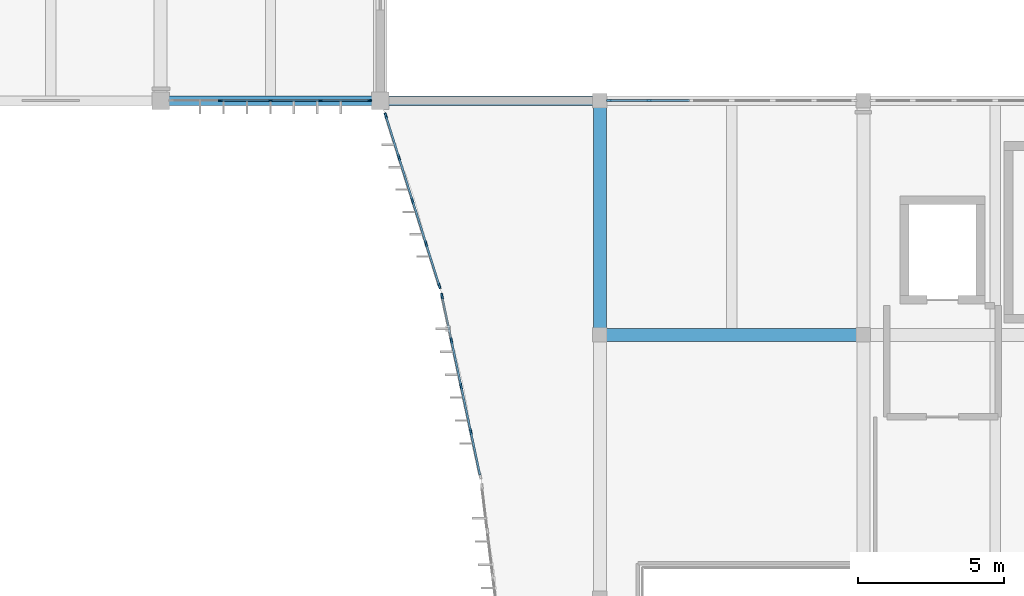
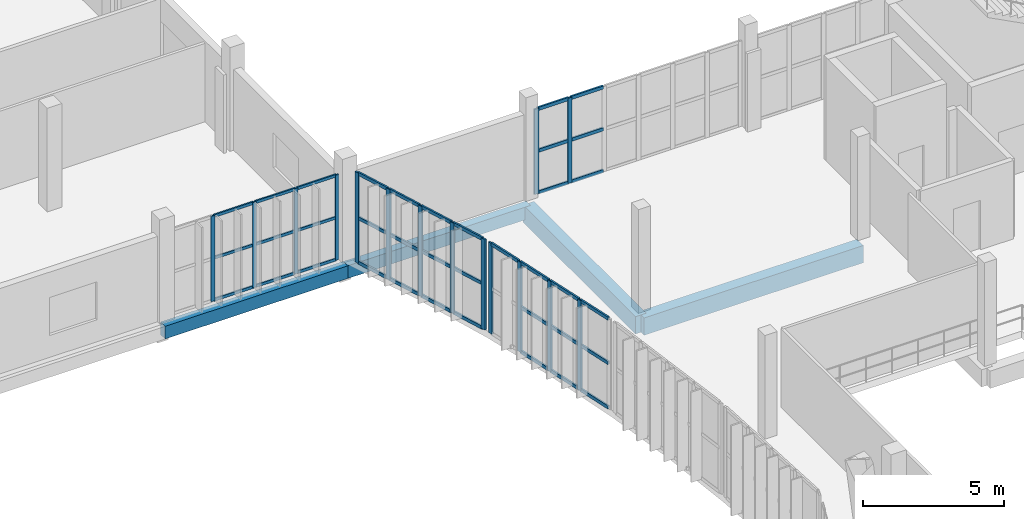
# One storey, part 34 of 81: 52 members, 4 beams, 4 elements without a shape of their own.
"""IFC4 building model written with IfcOpenShell, lengths in metres."""

from ifc_helpers import new_model, si_unit, direction, frame, origin, origin_2d, place, context, subcontext, project, spatial, rectangle, extrude, material, material_profile, profile_set, type_object, element, aggregate, save


model = new_model("IFC4")

# Units and contexts
model_context = context("Model", 3, precision=1e-05, world=origin(), true_north=direction((0.0, 1.0)))
body_context = subcontext(model_context, "Body", "Model", "MODEL_VIEW")
ifc_project = project(units=[si_unit("LENGTHUNIT", "METRE"), si_unit("AREAUNIT", "SQUARE_METRE"), si_unit("VOLUMEUNIT", "CUBIC_METRE"), si_unit("PLANEANGLEUNIT", "RADIAN"), si_unit("MASSUNIT", "GRAM", prefix="KILO")], contexts=[model_context])

# Site, building, storey
site_placement = place(None, origin())
site = spatial("IfcSite", under=ifc_project, at=site_placement, CompositionType="ELEMENT")
building_placement = place(site_placement, origin())
building = spatial("IfcBuilding", under=site, at=building_placement, Name="Vourika Railside Aquatics Centre", CompositionType="ELEMENT")
storey_placement = place(building_placement, frame((0.0, 0.0, 4.800048828125)))
storey = spatial("IfcBuildingStorey", under=building, at=storey_placement, Name="L01", CompositionType="ELEMENT", Elevation=4.800048828125)

# Beams
ifc_material_1 = material(Name="Concrete C35/45", Category="concrete")
ifc_material_profile_1 = material_profile(ifc_material_1, rectangle(XDim=0.449951171875, YDim=0.75, at=origin_2d()), Name="RC 450x750")
ifc_profile_set_1 = profile_set([ifc_material_profile_1], Name="Concrete C35/45")
beam_type_1 = type_object("IfcBeamType", Name="BM-GIRD-450x750", PredefinedType="BEAM", material=ifc_profile_set_1)
beam_1_placement = place(storey_placement, frame((141.0, 84.0, -0.675048828125), z_axis=(1.0, 0.0, 0.0), x_axis=(0.0, 1.0, 0.0)))
element("IfcBeam", 1, at=beam_1_placement, inside=storey, type_object=beam_type_1, Name="Floor Beam GX-L01-102", PredefinedType="BEAM", context=body_context, shape_type="SweptSolid", body=[
    extrude(rectangle(XDim=0.449951171875, YDim=0.75, at=origin_2d()), origin(), (0.0, 0.0, 1.0), 9.0),
])
beam_2_placement = place(storey_placement, frame((141.0, 84.0, -0.675048828125), z_axis=(0.0, 1.0, 0.0), x_axis=(-1.0, 0.0, 0.0)))
element("IfcBeam", 2, at=beam_2_placement, inside=storey, type_object=beam_type_1, Name="Floor Girder GY-L01-277", PredefinedType="BEAM", context=body_context, shape_type="SweptSolid", body=[
    extrude(rectangle(XDim=0.449951171875, YDim=0.75, at=origin_2d()), origin(), (0.0, 0.0, 1.0), 8.0),
])
ifc_material_profile_2 = material_profile(ifc_material_1, rectangle(XDim=0.320068359375, YDim=0.550048828125, at=origin_2d()), Name="RC 320x550")
ifc_profile_set_2 = profile_set([ifc_material_profile_2], Name="Concrete C35/45")
beam_type_2 = type_object("IfcBeamType", Name="BM-SPAN-320x550", PredefinedType="SPANDREL", material=ifc_profile_set_2)
for number, where, z_axis, x_axis, name in (
    (3, (126.0, 92.0, -0.574951171875), (1.0, 0.0, 0.0), (0.0, 1.0, 0.0), "Floor Beam GX-L01-119"),
    (4, (133.5, 92.0, -0.574951171875), (1.0, 0.0, 0.0), (0.0, 1.0, 0.0), "Floor Beam GX-L01-120"),
):
    element("IfcBeam", number, at=place(storey_placement, frame(where, z_axis=z_axis, x_axis=x_axis)), inside=storey, type_object=beam_type_2, Name=name, PredefinedType="SPANDREL", context=body_context, shape_type="SweptSolid", body=[
        extrude(rectangle(XDim=0.320068359375, YDim=0.550048828125, at=origin_2d()), origin(), (0.0, 0.0, 1.0), 7.5),
    ])

# Curtain wall, members
ifc_material_2 = material(Name="Anodized thermally broken aluminium", Category="aluminium")
curtain_wall_type_1 = type_object("IfcCurtainWallType", Name="CW-FIT1", PredefinedType="NOTDEFINED", material=ifc_material_2)
curtain_wall_1_placement = place(storey_placement, origin())
curtain_wall_1 = element("IfcCurtainWall", 5, at=curtain_wall_1_placement, inside=storey, type_object=curtain_wall_type_1, Name="Courtyard Fitness Curtain Wall L01-13", PredefinedType="NOTDEFINED")
ifc_material_3 = material(Name="Anodized aluminium mullion", Category="aluminium")
ifc_material_profile_3 = material_profile(ifc_material_3, rectangle(XDim=0.06201171875, YDim=0.156005859375, at=origin_2d()), Name="ALU-M 62x156")
ifc_profile_set_3 = profile_set([ifc_material_profile_3], Name="Anodized aluminium mullion")
member_type_1 = type_object("IfcMemberType", Name="CWM-FIT1", PredefinedType="MULLION", material=ifc_profile_set_3)
member_1_placement = place(storey_placement, frame((128.0400390625, 92.0, 0.0), z_axis=(0.0, 0.0, 1.0), x_axis=(0.0, 1.0, 0.0)))
member_1 = element("IfcMember", 6, at=member_1_placement, type_object=member_type_1, Name="CW15 mullion 2", PredefinedType="MULLION", context=body_context, shape_type="SweptSolid", body=[
    extrude(rectangle(XDim=0.06201171875, YDim=0.156005859375, at=origin_2d()), origin(), (0.0, 0.0, 1.0), 3.699951171875),
])
member_2_placement = place(storey_placement, frame((129.75, 92.0, 0.0), z_axis=(0.0, 0.0, 1.0), x_axis=(0.0, 1.0, 0.0)))
member_2 = element("IfcMember", 7, at=member_2_placement, type_object=member_type_1, Name="CW15 mullion 3", PredefinedType="MULLION", context=body_context, shape_type="SweptSolid", body=[
    extrude(rectangle(XDim=0.06201171875, YDim=0.156005859375, at=origin_2d()), origin(), (0.0, 0.0, 1.0), 3.699951171875),
])
member_3_placement = place(storey_placement, frame((131.4599609375, 92.0, 0.0), z_axis=(0.0, 0.0, 1.0), x_axis=(0.0, 1.0, 0.0)))
member_3 = element("IfcMember", 8, at=member_3_placement, type_object=member_type_1, Name="CW15 mullion 4", PredefinedType="MULLION", context=body_context, shape_type="SweptSolid", body=[
    extrude(rectangle(XDim=0.06201171875, YDim=0.156005859375, at=origin_2d()), origin(), (0.0, 0.0, 1.0), 3.699951171875),
])
member_4_placement = place(storey_placement, frame((133.138916015625, 92.0, 0.0), z_axis=(0.0, 0.0, 1.0), x_axis=(0.0, 1.0, 0.0)))
member_4 = element("IfcMember", 9, at=member_4_placement, type_object=member_type_1, Name="CW15 mullion 5", PredefinedType="MULLION", context=body_context, shape_type="SweptSolid", body=[
    extrude(rectangle(XDim=0.06201171875, YDim=0.156005859375, at=origin_2d()), origin(), (0.0, 0.0, 1.0), 3.699951171875),
])

curtain_wall_type_2 = type_object("IfcCurtainWallType", Name="CW-FOYC1", PredefinedType="NOTDEFINED", material=ifc_material_2)
curtain_wall_2_placement = place(storey_placement, origin())
curtain_wall_2 = element("IfcCurtainWall", 10, at=curtain_wall_2_placement, inside=storey, type_object=curtain_wall_type_2, Name="Curved Courtyard Foyer Curtain Wall L01-7", PredefinedType="NOTDEFINED")
ifc_material_profile_4 = material_profile(ifc_material_3, rectangle(XDim=0.070068359375, YDim=0.18505859375, at=origin_2d()), Name="ALU-M 70x185")
ifc_profile_set_4 = profile_set([ifc_material_profile_4], Name="Anodized aluminium mullion")
member_type_2 = type_object("IfcMemberType", Name="CWM-FOYC1", PredefinedType="MULLION", material=ifc_profile_set_4)
member_5_placement = place(storey_placement, frame((135.609375, 85.32568359375, 0.0), z_axis=(0.0, 0.0, 1.0), x_axis=(0.978214773139, 0.207595418094, 0.0)))
member_5 = element("IfcMember", 11, at=member_5_placement, type_object=member_type_2, Name="CW08 mullion 1", PredefinedType="MULLION", context=body_context, shape_type="SweptSolid", body=[
    extrude(rectangle(XDim=0.070068359375, YDim=0.18505859375, at=origin_2d()), origin(), (0.0, 0.0, 1.0), 3.919921875),
])
member_6_placement = place(storey_placement, frame((135.931884765625, 83.804931640625, 0.0), z_axis=(0.0, 0.0, 1.0), x_axis=(0.978214773139, 0.207595418094, 0.0)))
member_6 = element("IfcMember", 12, at=member_6_placement, type_object=member_type_2, Name="CW08 mullion 2", PredefinedType="MULLION", context=body_context, shape_type="SweptSolid", body=[
    extrude(rectangle(XDim=0.070068359375, YDim=0.18505859375, at=origin_2d()), origin(), (0.0, 0.0, 1.0), 3.919921875),
])
member_7_placement = place(storey_placement, frame((136.261962890625, 82.25, 0.0), z_axis=(0.0, 0.0, 1.0), x_axis=(0.978214773139, 0.207595418094, 0.0)))
member_7 = element("IfcMember", 13, at=member_7_placement, type_object=member_type_2, Name="CW08 mullion 3", PredefinedType="MULLION", context=body_context, shape_type="SweptSolid", body=[
    extrude(rectangle(XDim=0.070068359375, YDim=0.18505859375, at=origin_2d()), origin(), (0.0, 0.0, 1.0), 3.919921875),
])
member_8_placement = place(storey_placement, frame((136.592041015625, 80.695068359375, 0.0), z_axis=(0.0, 0.0, 1.0), x_axis=(0.978214773139, 0.207595418094, 0.0)))
member_8 = element("IfcMember", 14, at=member_8_placement, type_object=member_type_2, Name="CW08 mullion 4", PredefinedType="MULLION", context=body_context, shape_type="SweptSolid", body=[
    extrude(rectangle(XDim=0.070068359375, YDim=0.18505859375, at=origin_2d()), origin(), (0.0, 0.0, 1.0), 3.919921875),
])

curtain_wall_3_placement = place(storey_placement, origin())
curtain_wall_3 = element("IfcCurtainWall", 15, at=curtain_wall_3_placement, inside=storey, type_object=curtain_wall_type_2, Name="Curved Courtyard Foyer Curtain Wall L01-8", PredefinedType="NOTDEFINED")
member_9_placement = place(storey_placement, frame((133.6904296875, 91.486572265625, 0.0), z_axis=(0.0, 0.0, 1.0), x_axis=(0.953947300696, 0.29997424472, 0.0)))
member_9 = element("IfcMember", 16, at=member_9_placement, type_object=member_type_2, Name="CW08 mullion 1", PredefinedType="MULLION", context=body_context, shape_type="SweptSolid", body=[
    extrude(rectangle(XDim=0.070068359375, YDim=0.18505859375, at=origin_2d()), origin(), (0.0, 0.0, 1.0), 3.919921875),
])
member_10_placement = place(storey_placement, frame((134.142333984375, 90.050048828125, 0.0), z_axis=(0.0, 0.0, 1.0), x_axis=(0.953947300696, 0.29997424472, 0.0)))
member_10 = element("IfcMember", 17, at=member_10_placement, type_object=member_type_2, Name="CW08 mullion 2", PredefinedType="MULLION", context=body_context, shape_type="SweptSolid", body=[
    extrude(rectangle(XDim=0.070068359375, YDim=0.18505859375, at=origin_2d()), origin(), (0.0, 0.0, 1.0), 3.919921875),
])
member_11_placement = place(storey_placement, frame((134.6044921875, 88.580078125, 0.0), z_axis=(0.0, 0.0, 1.0), x_axis=(0.953947300696, 0.29997424472, 0.0)))
member_11 = element("IfcMember", 18, at=member_11_placement, type_object=member_type_2, Name="CW08 mullion 3", PredefinedType="MULLION", context=body_context, shape_type="SweptSolid", body=[
    extrude(rectangle(XDim=0.070068359375, YDim=0.18505859375, at=origin_2d()), origin(), (0.0, 0.0, 1.0), 3.919921875),
])
member_12_placement = place(storey_placement, frame((135.066650390625, 87.110107421875, 0.0), z_axis=(0.0, 0.0, 1.0), x_axis=(0.953947300696, 0.29997424472, 0.0)))
member_12 = element("IfcMember", 19, at=member_12_placement, type_object=member_type_2, Name="CW08 mullion 4", PredefinedType="MULLION", context=body_context, shape_type="SweptSolid", body=[
    extrude(rectangle(XDim=0.070068359375, YDim=0.18505859375, at=origin_2d()), origin(), (0.0, 0.0, 1.0), 3.919921875),
])
member_13_placement = place(storey_placement, frame((135.5185546875, 85.67333984375, 0.0), z_axis=(0.0, 0.0, 1.0), x_axis=(0.953947300696, 0.29997424472, 0.0)))
member_13 = element("IfcMember", 20, at=member_13_placement, type_object=member_type_2, Name="CW08 mullion 5", PredefinedType="MULLION", context=body_context, shape_type="SweptSolid", body=[
    extrude(rectangle(XDim=0.070068359375, YDim=0.18505859375, at=origin_2d()), origin(), (0.0, 0.0, 1.0), 3.919921875),
])

curtain_wall_type_3 = type_object("IfcCurtainWallType", Name="CW-FOYS", PredefinedType="NOTDEFINED", material=ifc_material_2)
curtain_wall_4_placement = place(storey_placement, origin())
curtain_wall_4 = element("IfcCurtainWall", 21, at=curtain_wall_4_placement, inside=storey, type_object=curtain_wall_type_3, Name="Foyer North Glazed Facade L01-1", PredefinedType="NOTDEFINED")
ifc_material_profile_5 = material_profile(ifc_material_3, rectangle(XDim=0.072021484375, YDim=0.181884765625, at=origin_2d()), Name="ALU-M 72x182")
ifc_profile_set_5 = profile_set([ifc_material_profile_5], Name="Anodized aluminium mullion")
member_type_3 = type_object("IfcMemberType", Name="CWM-FOYS", PredefinedType="MULLION", material=ifc_profile_set_5)
member_14_placement = place(storey_placement, frame((142.686767578125, 92.0, 0.0), z_axis=(0.0, 0.0, 1.0), x_axis=(0.0, -1.0, 0.0)))
member_14 = element("IfcMember", 22, at=member_14_placement, type_object=member_type_3, Name="CW11 mullion 6", PredefinedType="MULLION", context=body_context, shape_type="SweptSolid", body=[
    extrude(rectangle(XDim=0.072021484375, YDim=0.181884765625, at=origin_2d()), origin(), (0.0, 0.0, 1.0), 3.699951171875),
])
member_15_placement = place(storey_placement, frame((141.31591796875, 92.0, 0.0), z_axis=(0.0, 0.0, 1.0), x_axis=(0.0, -1.0, 0.0)))
member_15 = element("IfcMember", 23, at=member_15_placement, type_object=member_type_3, Name="CW11 mullion 7", PredefinedType="MULLION", context=body_context, shape_type="SweptSolid", body=[
    extrude(rectangle(XDim=0.072021484375, YDim=0.181884765625, at=origin_2d()), origin(), (0.0, 0.0, 1.0), 3.699951171875),
])

# Member
ifc_material_4 = material(Name="Anodized aluminium transom", Category="aluminium")
ifc_material_profile_6 = material_profile(ifc_material_4, rectangle(XDim=0.06201171875, YDim=0.1220703125, at=origin_2d()), Name="ALU-T 62x122")
ifc_profile_set_6 = profile_set([ifc_material_profile_6], Name="Anodized aluminium transom")
member_type_4 = type_object("IfcMemberType", Name="CWT-FIT1", PredefinedType="USERDEFINED", material=ifc_profile_set_6)
member_16_placement = place(storey_placement, frame((128.071044921875, 92.0, 0.031005859375), z_axis=(1.0, 0.0, 0.0), x_axis=(0.0, 1.0, 0.0)))
member_16 = element("IfcMember", 24, at=member_16_placement, type_object=member_type_4, Name="CW15 transom 2.1", ObjectType="TRANSOM", PredefinedType="USERDEFINED", context=body_context, shape_type="SweptSolid", body=[
    extrude(rectangle(XDim=0.06201171875, YDim=0.1220703125, at=origin_2d()), origin(), (0.0, 0.0, 1.0), 1.64794921875),
])

member_17_placement = place(storey_placement, frame((128.071044921875, 92.0, 1.849853515625), z_axis=(1.0, 0.0, 0.0), x_axis=(0.0, 1.0, 0.0)))
member_17 = element("IfcMember", 25, at=member_17_placement, type_object=member_type_4, Name="CW15 transom 2.2", ObjectType="TRANSOM", PredefinedType="USERDEFINED", context=body_context, shape_type="SweptSolid", body=[
    extrude(rectangle(XDim=0.06201171875, YDim=0.1220703125, at=origin_2d()), origin(), (0.0, 0.0, 1.0), 1.64794921875),
])

member_18_placement = place(storey_placement, frame((128.071044921875, 92.0, 3.6689453125), z_axis=(1.0, 0.0, 0.0), x_axis=(0.0, 1.0, 0.0)))
member_18 = element("IfcMember", 26, at=member_18_placement, type_object=member_type_4, Name="CW15 transom 2.3", ObjectType="TRANSOM", PredefinedType="USERDEFINED", context=body_context, shape_type="SweptSolid", body=[
    extrude(rectangle(XDim=0.06201171875, YDim=0.1220703125, at=origin_2d()), origin(), (0.0, 0.0, 1.0), 1.64794921875),
])

member_19_placement = place(storey_placement, frame((129.781005859375, 92.0, 0.031005859375), z_axis=(1.0, 0.0, 0.0), x_axis=(0.0, 1.0, 0.0)))
member_19 = element("IfcMember", 27, at=member_19_placement, type_object=member_type_4, Name="CW15 transom 3.1", ObjectType="TRANSOM", PredefinedType="USERDEFINED", context=body_context, shape_type="SweptSolid", body=[
    extrude(rectangle(XDim=0.06201171875, YDim=0.1220703125, at=origin_2d()), origin(), (0.0, 0.0, 1.0), 1.64794921875),
])

member_20_placement = place(storey_placement, frame((129.781005859375, 92.0, 1.849853515625), z_axis=(1.0, 0.0, 0.0), x_axis=(0.0, 1.0, 0.0)))
member_20 = element("IfcMember", 28, at=member_20_placement, type_object=member_type_4, Name="CW15 transom 3.2", ObjectType="TRANSOM", PredefinedType="USERDEFINED", context=body_context, shape_type="SweptSolid", body=[
    extrude(rectangle(XDim=0.06201171875, YDim=0.1220703125, at=origin_2d()), origin(), (0.0, 0.0, 1.0), 1.64794921875),
])

member_21_placement = place(storey_placement, frame((129.781005859375, 92.0, 3.6689453125), z_axis=(1.0, 0.0, 0.0), x_axis=(0.0, 1.0, 0.0)))
member_21 = element("IfcMember", 29, at=member_21_placement, type_object=member_type_4, Name="CW15 transom 3.3", ObjectType="TRANSOM", PredefinedType="USERDEFINED", context=body_context, shape_type="SweptSolid", body=[
    extrude(rectangle(XDim=0.06201171875, YDim=0.1220703125, at=origin_2d()), origin(), (0.0, 0.0, 1.0), 1.64794921875),
])

member_22_placement = place(storey_placement, frame((131.490966796875, 92.0, 0.031005859375), z_axis=(1.0, 0.0, 0.0), x_axis=(0.0, 1.0, 0.0)))
member_22 = element("IfcMember", 30, at=member_22_placement, type_object=member_type_4, Name="CW15 transom 4.1", ObjectType="TRANSOM", PredefinedType="USERDEFINED", context=body_context, shape_type="SweptSolid", body=[
    extrude(rectangle(XDim=0.06201171875, YDim=0.1220703125, at=origin_2d()), origin(), (0.0, 0.0, 1.0), 1.616943359375),
])

member_23_placement = place(storey_placement, frame((131.490966796875, 92.0, 1.849853515625), z_axis=(1.0, 0.0, 0.0), x_axis=(0.0, 1.0, 0.0)))
member_23 = element("IfcMember", 31, at=member_23_placement, type_object=member_type_4, Name="CW15 transom 4.2", ObjectType="TRANSOM", PredefinedType="USERDEFINED", context=body_context, shape_type="SweptSolid", body=[
    extrude(rectangle(XDim=0.06201171875, YDim=0.1220703125, at=origin_2d()), origin(), (0.0, 0.0, 1.0), 1.616943359375),
])

member_24_placement = place(storey_placement, frame((131.490966796875, 92.0, 3.6689453125), z_axis=(1.0, 0.0, 0.0), x_axis=(0.0, 1.0, 0.0)))
member_24 = element("IfcMember", 32, at=member_24_placement, type_object=member_type_4, Name="CW15 transom 4.3", ObjectType="TRANSOM", PredefinedType="USERDEFINED", context=body_context, shape_type="SweptSolid", body=[
    extrude(rectangle(XDim=0.06201171875, YDim=0.1220703125, at=origin_2d()), origin(), (0.0, 0.0, 1.0), 1.616943359375),
])

aggregate(curtain_wall_1, [member_1, member_2, member_3, member_4, member_16, member_17, member_18, member_19, member_20, member_21, member_22, member_23, member_24])

ifc_material_profile_7 = material_profile(ifc_material_4, rectangle(XDim=0.070068359375, YDim=0.14599609375, at=origin_2d()), Name="ALU-T 70x146")
ifc_profile_set_7 = profile_set([ifc_material_profile_7], Name="Anodized aluminium transom")
member_type_5 = type_object("IfcMemberType", Name="CWT-FOYC1", PredefinedType="USERDEFINED", material=ifc_profile_set_7)
member_25_placement = place(storey_placement, frame((135.616455078125, 85.29150390625, 3.885009765625), z_axis=(0.207709269324, -0.97819060486, 0.0), x_axis=(0.97819060486, 0.207709269324, 0.0)))
member_25 = element("IfcMember", 33, at=member_25_placement, type_object=member_type_5, Name="CW08 transom 1.3", ObjectType="TRANSOM", PredefinedType="USERDEFINED", context=body_context, shape_type="SweptSolid", body=[
    extrude(rectangle(XDim=0.070068359375, YDim=0.14599609375, at=origin_2d()), origin(), (0.0, 0.0, 1.0), 1.484619140625),
])

member_26_placement = place(storey_placement, frame((135.939208984375, 83.770751953125, 0.034912109375), z_axis=(0.207564770787, -0.978221276567, 0.0), x_axis=(0.978221276567, 0.207564770787, 0.0)))
member_26 = element("IfcMember", 34, at=member_26_placement, type_object=member_type_5, Name="CW08 transom 2.1", ObjectType="TRANSOM", PredefinedType="USERDEFINED", context=body_context, shape_type="SweptSolid", body=[
    extrude(rectangle(XDim=0.070068359375, YDim=0.14599609375, at=origin_2d()), origin(), (0.0, 0.0, 1.0), 1.519775390625),
])

member_27_placement = place(storey_placement, frame((135.939208984375, 83.770751953125, 1.9599609375), z_axis=(0.207564770787, -0.978221276567, 0.0), x_axis=(0.978221276567, 0.207564770787, 0.0)))
member_27 = element("IfcMember", 35, at=member_27_placement, type_object=member_type_5, Name="CW08 transom 2.2", ObjectType="TRANSOM", PredefinedType="USERDEFINED", context=body_context, shape_type="SweptSolid", body=[
    extrude(rectangle(XDim=0.070068359375, YDim=0.14599609375, at=origin_2d()), origin(), (0.0, 0.0, 1.0), 1.519775390625),
])

member_28_placement = place(storey_placement, frame((135.939208984375, 83.770751953125, 3.885009765625), z_axis=(0.207564770787, -0.978221276567, 0.0), x_axis=(0.978221276567, 0.207564770787, 0.0)))
member_28 = element("IfcMember", 36, at=member_28_placement, type_object=member_type_5, Name="CW08 transom 2.3", ObjectType="TRANSOM", PredefinedType="USERDEFINED", context=body_context, shape_type="SweptSolid", body=[
    extrude(rectangle(XDim=0.070068359375, YDim=0.14599609375, at=origin_2d()), origin(), (0.0, 0.0, 1.0), 1.519775390625),
])

member_29_placement = place(storey_placement, frame((136.269287109375, 82.2158203125, 0.034912109375), z_axis=(0.207564770787, -0.978221276567, 0.0), x_axis=(0.978221276567, 0.207564770787, 0.0)))
member_29 = element("IfcMember", 37, at=member_29_placement, type_object=member_type_5, Name="CW08 transom 3.1", ObjectType="TRANSOM", PredefinedType="USERDEFINED", context=body_context, shape_type="SweptSolid", body=[
    extrude(rectangle(XDim=0.070068359375, YDim=0.14599609375, at=origin_2d()), origin(), (0.0, 0.0, 1.0), 1.519775390625),
])

member_30_placement = place(storey_placement, frame((136.269287109375, 82.2158203125, 1.9599609375), z_axis=(0.207564770787, -0.978221276567, 0.0), x_axis=(0.978221276567, 0.207564770787, 0.0)))
member_30 = element("IfcMember", 38, at=member_30_placement, type_object=member_type_5, Name="CW08 transom 3.2", ObjectType="TRANSOM", PredefinedType="USERDEFINED", context=body_context, shape_type="SweptSolid", body=[
    extrude(rectangle(XDim=0.070068359375, YDim=0.14599609375, at=origin_2d()), origin(), (0.0, 0.0, 1.0), 1.519775390625),
])

member_31_placement = place(storey_placement, frame((136.269287109375, 82.2158203125, 3.885009765625), z_axis=(0.207564770787, -0.978221276567, 0.0), x_axis=(0.978221276567, 0.207564770787, 0.0)))
member_31 = element("IfcMember", 39, at=member_31_placement, type_object=member_type_5, Name="CW08 transom 3.3", ObjectType="TRANSOM", PredefinedType="USERDEFINED", context=body_context, shape_type="SweptSolid", body=[
    extrude(rectangle(XDim=0.070068359375, YDim=0.14599609375, at=origin_2d()), origin(), (0.0, 0.0, 1.0), 1.519775390625),
])

member_32_placement = place(storey_placement, frame((136.599365234375, 80.66064453125, 0.034912109375), z_axis=(0.207551899395, -0.978224007606, 0.0), x_axis=(0.978224007606, 0.207551899395, 0.0)))
member_32 = element("IfcMember", 40, at=member_32_placement, type_object=member_type_5, Name="CW08 transom 4.1", ObjectType="TRANSOM", PredefinedType="USERDEFINED", context=body_context, shape_type="SweptSolid", body=[
    extrude(rectangle(XDim=0.070068359375, YDim=0.14599609375, at=origin_2d()), origin(), (0.0, 0.0, 1.0), 1.484375),
])

member_33_placement = place(storey_placement, frame((136.599365234375, 80.66064453125, 1.9599609375), z_axis=(0.207551899395, -0.978224007606, 0.0), x_axis=(0.978224007606, 0.207551899395, 0.0)))
member_33 = element("IfcMember", 41, at=member_33_placement, type_object=member_type_5, Name="CW08 transom 4.2", ObjectType="TRANSOM", PredefinedType="USERDEFINED", context=body_context, shape_type="SweptSolid", body=[
    extrude(rectangle(XDim=0.070068359375, YDim=0.14599609375, at=origin_2d()), origin(), (0.0, 0.0, 1.0), 1.484375),
])

member_34_placement = place(storey_placement, frame((136.599365234375, 80.66064453125, 3.885009765625), z_axis=(0.207551899395, -0.978224007606, 0.0), x_axis=(0.978224007606, 0.207551899395, 0.0)))
member_34 = element("IfcMember", 42, at=member_34_placement, type_object=member_type_5, Name="CW08 transom 4.3", ObjectType="TRANSOM", PredefinedType="USERDEFINED", context=body_context, shape_type="SweptSolid", body=[
    extrude(rectangle(XDim=0.070068359375, YDim=0.14599609375, at=origin_2d()), origin(), (0.0, 0.0, 1.0), 1.484375),
])

aggregate(curtain_wall_2, [member_5, member_6, member_7, member_8, member_25, member_26, member_27, member_28, member_29, member_30, member_31, member_32, member_33, member_34])

member_35_placement = place(storey_placement, frame((133.700927734375, 91.453125, 0.034912109375), z_axis=(0.300113977239, -0.953903349751, 0.0), x_axis=(0.953903349751, 0.300113977239, 0.0)))
member_35 = element("IfcMember", 43, at=member_35_placement, type_object=member_type_5, Name="CW08 transom 1.1", ObjectType="TRANSOM", PredefinedType="USERDEFINED", context=body_context, shape_type="SweptSolid", body=[
    extrude(rectangle(XDim=0.070068359375, YDim=0.14599609375, at=origin_2d()), origin(), (0.0, 0.0, 1.0), 1.435791015625),
])

member_36_placement = place(storey_placement, frame((133.700927734375, 91.453125, 1.9599609375), z_axis=(0.300113977239, -0.953903349751, 0.0), x_axis=(0.953903349751, 0.300113977239, 0.0)))
member_36 = element("IfcMember", 44, at=member_36_placement, type_object=member_type_5, Name="CW08 transom 1.2", ObjectType="TRANSOM", PredefinedType="USERDEFINED", context=body_context, shape_type="SweptSolid", body=[
    extrude(rectangle(XDim=0.070068359375, YDim=0.14599609375, at=origin_2d()), origin(), (0.0, 0.0, 1.0), 1.435791015625),
])

member_37_placement = place(storey_placement, frame((133.700927734375, 91.453125, 3.885009765625), z_axis=(0.300113977239, -0.953903349751, 0.0), x_axis=(0.953903349751, 0.300113977239, 0.0)))
member_37 = element("IfcMember", 45, at=member_37_placement, type_object=member_type_5, Name="CW08 transom 1.3", ObjectType="TRANSOM", PredefinedType="USERDEFINED", context=body_context, shape_type="SweptSolid", body=[
    extrude(rectangle(XDim=0.070068359375, YDim=0.14599609375, at=origin_2d()), origin(), (0.0, 0.0, 1.0), 1.435791015625),
])

member_38_placement = place(storey_placement, frame((134.15283203125, 90.0166015625, 0.034912109375), z_axis=(0.299899961063, -0.953970656443, 0.0), x_axis=(0.953970656443, 0.299899961063, 0.0)))
member_38 = element("IfcMember", 46, at=member_38_placement, type_object=member_type_5, Name="CW08 transom 2.1", ObjectType="TRANSOM", PredefinedType="USERDEFINED", context=body_context, shape_type="SweptSolid", body=[
    extrude(rectangle(XDim=0.070068359375, YDim=0.14599609375, at=origin_2d()), origin(), (0.0, 0.0, 1.0), 1.470947265625),
])

member_39_placement = place(storey_placement, frame((134.15283203125, 90.0166015625, 1.9599609375), z_axis=(0.299899961063, -0.953970656443, 0.0), x_axis=(0.953970656443, 0.299899961063, 0.0)))
member_39 = element("IfcMember", 47, at=member_39_placement, type_object=member_type_5, Name="CW08 transom 2.2", ObjectType="TRANSOM", PredefinedType="USERDEFINED", context=body_context, shape_type="SweptSolid", body=[
    extrude(rectangle(XDim=0.070068359375, YDim=0.14599609375, at=origin_2d()), origin(), (0.0, 0.0, 1.0), 1.470947265625),
])

member_40_placement = place(storey_placement, frame((134.15283203125, 90.0166015625, 3.885009765625), z_axis=(0.299899961063, -0.953970656443, 0.0), x_axis=(0.953970656443, 0.299899961063, 0.0)))
member_40 = element("IfcMember", 48, at=member_40_placement, type_object=member_type_5, Name="CW08 transom 2.3", ObjectType="TRANSOM", PredefinedType="USERDEFINED", context=body_context, shape_type="SweptSolid", body=[
    extrude(rectangle(XDim=0.070068359375, YDim=0.14599609375, at=origin_2d()), origin(), (0.0, 0.0, 1.0), 1.470947265625),
])

member_41_placement = place(storey_placement, frame((134.614990234375, 88.546630859375, 0.034912109375), z_axis=(0.299899961063, -0.953970656443, 0.0), x_axis=(0.953970656443, 0.299899961063, 0.0)))
member_41 = element("IfcMember", 49, at=member_41_placement, type_object=member_type_5, Name="CW08 transom 3.1", ObjectType="TRANSOM", PredefinedType="USERDEFINED", context=body_context, shape_type="SweptSolid", body=[
    extrude(rectangle(XDim=0.070068359375, YDim=0.14599609375, at=origin_2d()), origin(), (0.0, 0.0, 1.0), 1.470947265625),
])

member_42_placement = place(storey_placement, frame((134.614990234375, 88.546630859375, 1.9599609375), z_axis=(0.299899961063, -0.953970656443, 0.0), x_axis=(0.953970656443, 0.299899961063, 0.0)))
member_42 = element("IfcMember", 50, at=member_42_placement, type_object=member_type_5, Name="CW08 transom 3.2", ObjectType="TRANSOM", PredefinedType="USERDEFINED", context=body_context, shape_type="SweptSolid", body=[
    extrude(rectangle(XDim=0.070068359375, YDim=0.14599609375, at=origin_2d()), origin(), (0.0, 0.0, 1.0), 1.470947265625),
])

member_43_placement = place(storey_placement, frame((134.614990234375, 88.546630859375, 3.885009765625), z_axis=(0.299899961063, -0.953970656443, 0.0), x_axis=(0.953970656443, 0.299899961063, 0.0)))
member_43 = element("IfcMember", 51, at=member_43_placement, type_object=member_type_5, Name="CW08 transom 3.3", ObjectType="TRANSOM", PredefinedType="USERDEFINED", context=body_context, shape_type="SweptSolid", body=[
    extrude(rectangle(XDim=0.070068359375, YDim=0.14599609375, at=origin_2d()), origin(), (0.0, 0.0, 1.0), 1.470947265625),
])

member_44_placement = place(storey_placement, frame((135.0771484375, 87.07666015625, 0.034912109375), z_axis=(0.300065306812, -0.953918660918, 0.0), x_axis=(0.953918660918, 0.300065306812, 0.0)))
member_44 = element("IfcMember", 52, at=member_44_placement, type_object=member_type_5, Name="CW08 transom 4.1", ObjectType="TRANSOM", PredefinedType="USERDEFINED", context=body_context, shape_type="SweptSolid", body=[
    extrude(rectangle(XDim=0.070068359375, YDim=0.14599609375, at=origin_2d()), origin(), (0.0, 0.0, 1.0), 1.43603515625),
])

member_45_placement = place(storey_placement, frame((135.0771484375, 87.07666015625, 1.9599609375), z_axis=(0.300065306812, -0.953918660918, 0.0), x_axis=(0.953918660918, 0.300065306812, 0.0)))
member_45 = element("IfcMember", 53, at=member_45_placement, type_object=member_type_5, Name="CW08 transom 4.2", ObjectType="TRANSOM", PredefinedType="USERDEFINED", context=body_context, shape_type="SweptSolid", body=[
    extrude(rectangle(XDim=0.070068359375, YDim=0.14599609375, at=origin_2d()), origin(), (0.0, 0.0, 1.0), 1.43603515625),
])

member_46_placement = place(storey_placement, frame((135.0771484375, 87.07666015625, 3.885009765625), z_axis=(0.300065306812, -0.953918660918, 0.0), x_axis=(0.953918660918, 0.300065306812, 0.0)))
member_46 = element("IfcMember", 54, at=member_46_placement, type_object=member_type_5, Name="CW08 transom 4.3", ObjectType="TRANSOM", PredefinedType="USERDEFINED", context=body_context, shape_type="SweptSolid", body=[
    extrude(rectangle(XDim=0.070068359375, YDim=0.14599609375, at=origin_2d()), origin(), (0.0, 0.0, 1.0), 1.43603515625),
])

aggregate(curtain_wall_3, [member_9, member_10, member_11, member_12, member_13, member_35, member_36, member_37, member_38, member_39, member_40, member_41, member_42, member_43, member_44, member_45, member_46])

ifc_material_profile_8 = material_profile(ifc_material_4, rectangle(XDim=0.072021484375, YDim=0.14404296875, at=origin_2d()), Name="ALU-T 72x144")
ifc_profile_set_8 = profile_set([ifc_material_profile_8], Name="Anodized aluminium transom")
member_type_6 = type_object("IfcMemberType", Name="CWT-FOYS", PredefinedType="USERDEFINED", material=ifc_profile_set_8)
member_47_placement = place(storey_placement, frame((144.057373046875, 92.0, 0.035888671875), z_axis=(-1.0, 0.0, 0.0), x_axis=(0.0, -1.0, 0.0)))
member_47 = element("IfcMember", 55, at=member_47_placement, type_object=member_type_6, Name="CW11 transom 5.1", ObjectType="TRANSOM", PredefinedType="USERDEFINED", context=body_context, shape_type="SweptSolid", body=[
    extrude(rectangle(XDim=0.072021484375, YDim=0.14404296875, at=origin_2d()), origin(), (0.0, 0.0, 1.0), 1.334716796875),
])

member_48_placement = place(storey_placement, frame((144.057373046875, 92.0, 1.849853515625), z_axis=(-1.0, 0.0, 0.0), x_axis=(0.0, -1.0, 0.0)))
member_48 = element("IfcMember", 56, at=member_48_placement, type_object=member_type_6, Name="CW11 transom 5.2", ObjectType="TRANSOM", PredefinedType="USERDEFINED", context=body_context, shape_type="SweptSolid", body=[
    extrude(rectangle(XDim=0.072021484375, YDim=0.14404296875, at=origin_2d()), origin(), (0.0, 0.0, 1.0), 1.334716796875),
])

member_49_placement = place(storey_placement, frame((144.057373046875, 92.0, 3.6640625), z_axis=(-1.0, 0.0, 0.0), x_axis=(0.0, -1.0, 0.0)))
member_49 = element("IfcMember", 57, at=member_49_placement, type_object=member_type_6, Name="CW11 transom 5.3", ObjectType="TRANSOM", PredefinedType="USERDEFINED", context=body_context, shape_type="SweptSolid", body=[
    extrude(rectangle(XDim=0.072021484375, YDim=0.14404296875, at=origin_2d()), origin(), (0.0, 0.0, 1.0), 1.334716796875),
])

member_50_placement = place(storey_placement, frame((142.650634765625, 92.0, 0.035888671875), z_axis=(-1.0, 0.0, 0.0), x_axis=(0.0, -1.0, 0.0)))
member_50 = element("IfcMember", 58, at=member_50_placement, type_object=member_type_6, Name="CW11 transom 6.1", ObjectType="TRANSOM", PredefinedType="USERDEFINED", context=body_context, shape_type="SweptSolid", body=[
    extrude(rectangle(XDim=0.072021484375, YDim=0.14404296875, at=origin_2d()), origin(), (0.0, 0.0, 1.0), 1.298583984375),
])

member_51_placement = place(storey_placement, frame((142.650634765625, 92.0, 1.849853515625), z_axis=(-1.0, 0.0, 0.0), x_axis=(0.0, -1.0, 0.0)))
member_51 = element("IfcMember", 59, at=member_51_placement, type_object=member_type_6, Name="CW11 transom 6.2", ObjectType="TRANSOM", PredefinedType="USERDEFINED", context=body_context, shape_type="SweptSolid", body=[
    extrude(rectangle(XDim=0.072021484375, YDim=0.14404296875, at=origin_2d()), origin(), (0.0, 0.0, 1.0), 1.298583984375),
])

member_52_placement = place(storey_placement, frame((142.650634765625, 92.0, 3.6640625), z_axis=(-1.0, 0.0, 0.0), x_axis=(0.0, -1.0, 0.0)))
member_52 = element("IfcMember", 60, at=member_52_placement, type_object=member_type_6, Name="CW11 transom 6.3", ObjectType="TRANSOM", PredefinedType="USERDEFINED", context=body_context, shape_type="SweptSolid", body=[
    extrude(rectangle(XDim=0.072021484375, YDim=0.14404296875, at=origin_2d()), origin(), (0.0, 0.0, 1.0), 1.298583984375),
])

aggregate(curtain_wall_4, [member_14, member_15, member_47, member_48, member_49, member_50, member_51, member_52])

save(model, "model.ifc")
